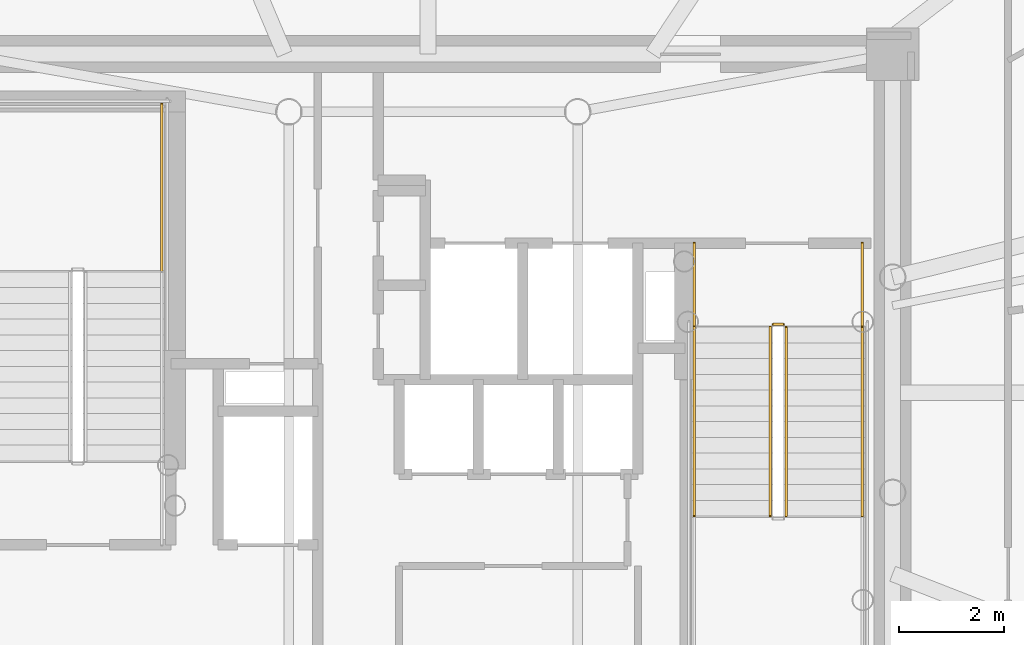
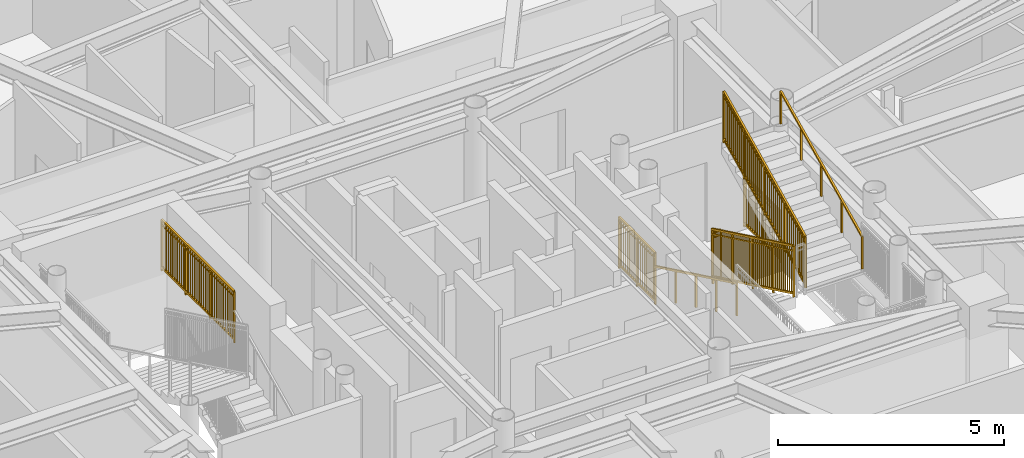
# One storey, part 16 of 17: 8 railings.
"""IFC4 building model written with IfcOpenShell, lengths in metres."""

from ifc_helpers import new_model, si_unit, direction, frame, origin, origin_2d, place, context, subcontext, project, spatial, rectangle, extrude, source, transform, mapped, material, type_object, element, save


model = new_model("IFC4")

# Units and contexts
model_context = context("Model", 3, precision=1e-05, world=origin(), true_north=direction((0.0, 1.0)))
body_context = subcontext(model_context, "Body", "Model", "MODEL_VIEW")
ifc_project = project(units=[si_unit("LENGTHUNIT", "METRE"), si_unit("AREAUNIT", "SQUARE_METRE"), si_unit("VOLUMEUNIT", "CUBIC_METRE"), si_unit("PLANEANGLEUNIT", "RADIAN"), si_unit("MASSUNIT", "GRAM", prefix="KILO")], contexts=[model_context])

# Site, building, storey
site_placement = place(None, origin())
site = spatial("IfcSite", under=ifc_project, at=site_placement, CompositionType="ELEMENT")
building_placement = place(site_placement, origin())
building = spatial("IfcBuilding", under=site, at=building_placement, Name="Linh Dai School and Residence Tower", CompositionType="ELEMENT")
storey_placement = place(building_placement, frame((0.0, 0.0, 276.75)))
storey = spatial("IfcBuildingStorey", under=building, at=storey_placement, Name="L68", CompositionType="ELEMENT", Elevation=276.75)

# Railings
ifc_material_1 = material(Name="Structural Steel S355JR", Category="steel")
railing_type_1 = type_object("IfcRailingType", Name="RL-ST-GUARD-1400", PredefinedType="GUARDRAIL", material=ifc_material_1)
shared_shape_1 = source(origin(), body_context, "Body", "SweptSolid", [
    extrude(rectangle(XDim=0.048095703125, YDim=0.048095703125, at=origin_2d()), frame((0.0, 0.0, 1.3759765625), z_axis=(0.0, 0.901262522062, 0.433273431364), x_axis=(-1.0, 0.0, 0.0)), (0.0, 0.0, 1.0), 3.994384765625),
    extrude(rectangle(XDim=0.048095703125, YDim=0.048095703125, at=origin_2d()), frame((0.0, 0.0, 0.10009765625), z_axis=(0.0, 0.901262522062, 0.433273431364), x_axis=(-1.0, 0.0, 0.0)), (0.0, 0.0, 1.0), 3.994384765625),
    extrude(rectangle(XDim=0.030029296875, YDim=0.030029296875, at=origin_2d()), frame((0.0, 0.0, 1.239990234375), z_axis=(0.0, 0.901262522062, 0.433273431364), x_axis=(-1.0, 0.0, 0.0)), (0.0, 0.0, 1.0), 3.994384765625),
    extrude(rectangle(XDim=0.02001953125, YDim=0.02001953125, at=origin_2d()), frame((0.0, 0.087890625, 0.142333984375)), (0.0, 0.0, 1.0), 1.251708984375),
    extrude(rectangle(XDim=0.02001953125, YDim=0.02001953125, at=origin_2d()), frame((0.0, 0.175537109375, 0.1845703125)), (0.0, 0.0, 1.0), 1.251708984375),
    extrude(rectangle(XDim=0.02001953125, YDim=0.02001953125, at=origin_2d()), frame((0.0, 0.263427734375, 0.226806640625)), (0.0, 0.0, 1.0), 1.251708984375),
    extrude(rectangle(XDim=0.02001953125, YDim=0.02001953125, at=origin_2d()), frame((0.0, 0.351318359375, 0.26904296875)), (0.0, 0.0, 1.0), 1.251708984375),
    extrude(rectangle(XDim=0.02001953125, YDim=0.02001953125, at=origin_2d()), frame((0.0, 0.43896484375, 0.311279296875)), (0.0, 0.0, 1.0), 1.251708984375),
    extrude(rectangle(XDim=0.02001953125, YDim=0.02001953125, at=origin_2d()), frame((0.0, 0.52685546875, 0.353271484375)), (0.0, 0.0, 1.0), 1.251708984375),
    extrude(rectangle(XDim=0.02001953125, YDim=0.02001953125, at=origin_2d()), frame((0.0, 0.61474609375, 0.3955078125)), (0.0, 0.0, 1.0), 1.251708984375),
    extrude(rectangle(XDim=0.02001953125, YDim=0.02001953125, at=origin_2d()), frame((0.0, 0.702392578125, 0.437744140625)), (0.0, 0.0, 1.0), 1.251708984375),
    extrude(rectangle(XDim=0.02001953125, YDim=0.02001953125, at=origin_2d()), frame((0.0, 0.790283203125, 0.47998046875)), (0.0, 0.0, 1.0), 1.251708984375),
    extrude(rectangle(XDim=0.02001953125, YDim=0.02001953125, at=origin_2d()), frame((0.0, 0.9658203125, 0.564453125)), (0.0, 0.0, 1.0), 1.251708984375),
    extrude(rectangle(XDim=0.02001953125, YDim=0.02001953125, at=origin_2d()), frame((0.0, 1.0537109375, 0.606689453125)), (0.0, 0.0, 1.0), 1.251708984375),
    extrude(rectangle(XDim=0.02001953125, YDim=0.02001953125, at=origin_2d()), frame((0.0, 1.1416015625, 0.64892578125)), (0.0, 0.0, 1.0), 1.251708984375),
    extrude(rectangle(XDim=0.02001953125, YDim=0.02001953125, at=origin_2d()), frame((0.0, 1.229248046875, 0.691162109375)), (0.0, 0.0, 1.0), 1.251708984375),
    extrude(rectangle(XDim=0.02001953125, YDim=0.02001953125, at=origin_2d()), frame((0.0, 1.317138671875, 0.7333984375)), (0.0, 0.0, 1.0), 1.251708984375),
    extrude(rectangle(XDim=0.02001953125, YDim=0.02001953125, at=origin_2d()), frame((0.0, 1.405029296875, 0.775390625)), (0.0, 0.0, 1.0), 1.251708984375),
    extrude(rectangle(XDim=0.02001953125, YDim=0.02001953125, at=origin_2d()), frame((0.0, 1.49267578125, 0.817626953125)), (0.0, 0.0, 1.0), 1.251708984375),
    extrude(rectangle(XDim=0.02001953125, YDim=0.02001953125, at=origin_2d()), frame((0.0, 1.58056640625, 0.85986328125)), (0.0, 0.0, 1.0), 1.251708984375),
    extrude(rectangle(XDim=0.02001953125, YDim=0.02001953125, at=origin_2d()), frame((0.0, 1.66845703125, 0.902099609375)), (0.0, 0.0, 1.0), 1.251708984375),
    extrude(rectangle(XDim=0.02001953125, YDim=0.02001953125, at=origin_2d()), frame((0.0, 1.756103515625, 0.9443359375)), (0.0, 0.0, 1.0), 1.251708984375),
    extrude(rectangle(XDim=0.02001953125, YDim=0.02001953125, at=origin_2d()), frame((0.0, 1.843994140625, 0.986572265625)), (0.0, 0.0, 1.0), 1.251708984375),
    extrude(rectangle(XDim=0.02001953125, YDim=0.02001953125, at=origin_2d()), frame((0.0, 1.931640625, 1.02880859375)), (0.0, 0.0, 1.0), 1.251708984375),
    extrude(rectangle(XDim=0.02001953125, YDim=0.02001953125, at=origin_2d()), frame((0.0, 2.01953125, 1.071044921875)), (0.0, 0.0, 1.0), 1.251708984375),
    extrude(rectangle(XDim=0.02001953125, YDim=0.02001953125, at=origin_2d()), frame((0.0, 2.107421875, 1.11328125)), (0.0, 0.0, 1.0), 1.251708984375),
    extrude(rectangle(XDim=0.02001953125, YDim=0.02001953125, at=origin_2d()), frame((0.0, 2.195068359375, 1.155517578125)), (0.0, 0.0, 1.0), 1.251708984375),
    extrude(rectangle(XDim=0.02001953125, YDim=0.02001953125, at=origin_2d()), frame((0.0, 2.282958984375, 1.197509765625)), (0.0, 0.0, 1.0), 1.251708984375),
    extrude(rectangle(XDim=0.02001953125, YDim=0.02001953125, at=origin_2d()), frame((0.0, 2.370849609375, 1.23974609375)), (0.0, 0.0, 1.0), 1.251708984375),
    extrude(rectangle(XDim=0.02001953125, YDim=0.02001953125, at=origin_2d()), frame((0.0, 2.45849609375, 1.281982421875)), (0.0, 0.0, 1.0), 1.251708984375),
    extrude(rectangle(XDim=0.02001953125, YDim=0.02001953125, at=origin_2d()), frame((0.0, 2.54638671875, 1.32421875)), (0.0, 0.0, 1.0), 1.251708984375),
    extrude(rectangle(XDim=0.02001953125, YDim=0.02001953125, at=origin_2d()), frame((0.0, 2.63427734375, 1.366455078125)), (0.0, 0.0, 1.0), 1.251708984375),
    extrude(rectangle(XDim=0.02001953125, YDim=0.02001953125, at=origin_2d()), frame((0.0, 2.809814453125, 1.450927734375)), (0.0, 0.0, 1.0), 1.251708984375),
    extrude(rectangle(XDim=0.02001953125, YDim=0.02001953125, at=origin_2d()), frame((0.0, 2.897705078125, 1.4931640625)), (0.0, 0.0, 1.0), 1.251708984375),
    extrude(rectangle(XDim=0.02001953125, YDim=0.02001953125, at=origin_2d()), frame((0.0, 2.9853515625, 1.535400390625)), (0.0, 0.0, 1.0), 1.251708984375),
    extrude(rectangle(XDim=0.02001953125, YDim=0.02001953125, at=origin_2d()), frame((0.0, 3.0732421875, 1.57763671875)), (0.0, 0.0, 1.0), 1.251708984375),
    extrude(rectangle(XDim=0.02001953125, YDim=0.02001953125, at=origin_2d()), frame((0.0, 3.1611328125, 1.61962890625)), (0.0, 0.0, 1.0), 1.251708984375),
    extrude(rectangle(XDim=0.02001953125, YDim=0.02001953125, at=origin_2d()), frame((0.0, 3.248779296875, 1.661865234375)), (0.0, 0.0, 1.0), 1.251708984375),
    extrude(rectangle(XDim=0.02001953125, YDim=0.02001953125, at=origin_2d()), frame((0.0, 3.336669921875, 1.7041015625)), (0.0, 0.0, 1.0), 1.251708984375),
    extrude(rectangle(XDim=0.02001953125, YDim=0.02001953125, at=origin_2d()), frame((0.0, 3.424560546875, 1.746337890625)), (0.0, 0.0, 1.0), 1.251708984375),
    extrude(rectangle(XDim=0.02001953125, YDim=0.02001953125, at=origin_2d()), frame((0.0, 3.51220703125, 1.78857421875)), (0.0, 0.0, 1.0), 1.251708984375),
    extrude(rectangle(XDim=0.0419921875, YDim=0.0419921875, at=origin_2d()), origin(), (0.0, 0.0, 1.0), 1.3759765625),
    extrude(rectangle(XDim=0.0419921875, YDim=0.0419921875, at=origin_2d()), frame((0.0, 0.89990234375, 0.4326171875)), (0.0, 0.0, 1.0), 1.3759765625),
    extrude(rectangle(XDim=0.0419921875, YDim=0.0419921875, at=origin_2d()), frame((0.0, 1.800048828125, 0.865234375)), (0.0, 0.0, 1.0), 1.3759765625),
    extrude(rectangle(XDim=0.0419921875, YDim=0.0419921875, at=origin_2d()), frame((0.0, 2.7001953125, 1.298095703125)), (0.0, 0.0, 1.0), 1.3759765625),
    extrude(rectangle(XDim=0.0419921875, YDim=0.0419921875, at=origin_2d()), frame((0.0, 3.60009765625, 1.730712890625)), (0.0, 0.0, 1.0), 1.3759765625),
])
railing_1_placement = place(storey_placement, frame((42.820068359375, 24.64990234375, 2.019287109375)))
element("IfcRailing", 1, at=railing_1_placement, inside=storey, type_object=railing_type_1, Name="L68 ST2 stair guard 6", PredefinedType="GUARDRAIL", context=body_context, shape_type="MappedRepresentation", body=[
    mapped(shared_shape_1, transform((0.0, 0.0, 0.0), x_axis=(1.0, 0.0, 0.0), y_axis=(0.0, 1.0, 0.0), z_axis=(0.0, 0.0, 1.0), scale=1.0)),
])
shared_shape_2 = source(origin(), body_context, "Body", "SweptSolid", [
    extrude(rectangle(XDim=0.048095703125, YDim=0.048095703125, at=origin_2d()), frame((0.0, 0.0, 1.3759765625), z_axis=(0.0, 1.0, 0.0), x_axis=(-1.0, 0.0, 0.0)), (0.0, 0.0, 1.0), 3.199951171875),
    extrude(rectangle(XDim=0.048095703125, YDim=0.048095703125, at=origin_2d()), frame((0.0, 0.0, 0.10009765625), z_axis=(0.0, 1.0, 0.0), x_axis=(-1.0, 0.0, 0.0)), (0.0, 0.0, 1.0), 3.199951171875),
    extrude(rectangle(XDim=0.030029296875, YDim=0.030029296875, at=origin_2d()), frame((0.0, 0.0, 1.239990234375), z_axis=(0.0, 1.0, 0.0), x_axis=(-1.0, 0.0, 0.0)), (0.0, 0.0, 1.0), 3.199951171875),
    extrude(rectangle(XDim=0.02001953125, YDim=0.02001953125, at=origin_2d()), frame((0.0, 0.096923828125, 0.10009765625)), (0.0, 0.0, 1.0), 1.251708984375),
    extrude(rectangle(XDim=0.02001953125, YDim=0.02001953125, at=origin_2d()), frame((0.0, 0.19384765625, 0.10009765625)), (0.0, 0.0, 1.0), 1.251708984375),
    extrude(rectangle(XDim=0.02001953125, YDim=0.02001953125, at=origin_2d()), frame((0.0, 0.291015625, 0.10009765625)), (0.0, 0.0, 1.0), 1.251708984375),
    extrude(rectangle(XDim=0.02001953125, YDim=0.02001953125, at=origin_2d()), frame((0.0, 0.387939453125, 0.10009765625)), (0.0, 0.0, 1.0), 1.251708984375),
    extrude(rectangle(XDim=0.02001953125, YDim=0.02001953125, at=origin_2d()), frame((0.0, 0.48486328125, 0.10009765625)), (0.0, 0.0, 1.0), 1.251708984375),
    extrude(rectangle(XDim=0.02001953125, YDim=0.02001953125, at=origin_2d()), frame((0.0, 0.581787109375, 0.10009765625)), (0.0, 0.0, 1.0), 1.251708984375),
    extrude(rectangle(XDim=0.02001953125, YDim=0.02001953125, at=origin_2d()), frame((0.0, 0.6787109375, 0.10009765625)), (0.0, 0.0, 1.0), 1.251708984375),
    extrude(rectangle(XDim=0.02001953125, YDim=0.02001953125, at=origin_2d()), frame((0.0, 0.775634765625, 0.10009765625)), (0.0, 0.0, 1.0), 1.251708984375),
    extrude(rectangle(XDim=0.02001953125, YDim=0.02001953125, at=origin_2d()), frame((0.0, 0.872802734375, 0.10009765625)), (0.0, 0.0, 1.0), 1.251708984375),
    extrude(rectangle(XDim=0.02001953125, YDim=0.02001953125, at=origin_2d()), frame((0.0, 0.9697265625, 0.10009765625)), (0.0, 0.0, 1.0), 1.251708984375),
    extrude(rectangle(XDim=0.02001953125, YDim=0.02001953125, at=origin_2d()), frame((0.0, 1.16357421875, 0.10009765625)), (0.0, 0.0, 1.0), 1.251708984375),
    extrude(rectangle(XDim=0.02001953125, YDim=0.02001953125, at=origin_2d()), frame((0.0, 1.260498046875, 0.10009765625)), (0.0, 0.0, 1.0), 1.251708984375),
    extrude(rectangle(XDim=0.02001953125, YDim=0.02001953125, at=origin_2d()), frame((0.0, 1.357666015625, 0.10009765625)), (0.0, 0.0, 1.0), 1.251708984375),
    extrude(rectangle(XDim=0.02001953125, YDim=0.02001953125, at=origin_2d()), frame((0.0, 1.45458984375, 0.10009765625)), (0.0, 0.0, 1.0), 1.251708984375),
    extrude(rectangle(XDim=0.02001953125, YDim=0.02001953125, at=origin_2d()), frame((0.0, 1.551513671875, 0.10009765625)), (0.0, 0.0, 1.0), 1.251708984375),
    extrude(rectangle(XDim=0.02001953125, YDim=0.02001953125, at=origin_2d()), frame((0.0, 1.6484375, 0.10009765625)), (0.0, 0.0, 1.0), 1.251708984375),
    extrude(rectangle(XDim=0.02001953125, YDim=0.02001953125, at=origin_2d()), frame((0.0, 1.745361328125, 0.10009765625)), (0.0, 0.0, 1.0), 1.251708984375),
    extrude(rectangle(XDim=0.02001953125, YDim=0.02001953125, at=origin_2d()), frame((0.0, 1.84228515625, 0.10009765625)), (0.0, 0.0, 1.0), 1.251708984375),
    extrude(rectangle(XDim=0.02001953125, YDim=0.02001953125, at=origin_2d()), frame((0.0, 1.939453125, 0.10009765625)), (0.0, 0.0, 1.0), 1.251708984375),
    extrude(rectangle(XDim=0.02001953125, YDim=0.02001953125, at=origin_2d()), frame((0.0, 2.036376953125, 0.10009765625)), (0.0, 0.0, 1.0), 1.251708984375),
    extrude(rectangle(XDim=0.02001953125, YDim=0.02001953125, at=origin_2d()), frame((0.0, 2.230224609375, 0.10009765625)), (0.0, 0.0, 1.0), 1.251708984375),
    extrude(rectangle(XDim=0.02001953125, YDim=0.02001953125, at=origin_2d()), frame((0.0, 2.3271484375, 0.10009765625)), (0.0, 0.0, 1.0), 1.251708984375),
    extrude(rectangle(XDim=0.02001953125, YDim=0.02001953125, at=origin_2d()), frame((0.0, 2.42431640625, 0.10009765625)), (0.0, 0.0, 1.0), 1.251708984375),
    extrude(rectangle(XDim=0.02001953125, YDim=0.02001953125, at=origin_2d()), frame((0.0, 2.521240234375, 0.10009765625)), (0.0, 0.0, 1.0), 1.251708984375),
    extrude(rectangle(XDim=0.02001953125, YDim=0.02001953125, at=origin_2d()), frame((0.0, 2.6181640625, 0.10009765625)), (0.0, 0.0, 1.0), 1.251708984375),
    extrude(rectangle(XDim=0.02001953125, YDim=0.02001953125, at=origin_2d()), frame((0.0, 2.715087890625, 0.10009765625)), (0.0, 0.0, 1.0), 1.251708984375),
    extrude(rectangle(XDim=0.02001953125, YDim=0.02001953125, at=origin_2d()), frame((0.0, 2.81201171875, 0.10009765625)), (0.0, 0.0, 1.0), 1.251708984375),
    extrude(rectangle(XDim=0.02001953125, YDim=0.02001953125, at=origin_2d()), frame((0.0, 2.908935546875, 0.10009765625)), (0.0, 0.0, 1.0), 1.251708984375),
    extrude(rectangle(XDim=0.02001953125, YDim=0.02001953125, at=origin_2d()), frame((0.0, 3.006103515625, 0.10009765625)), (0.0, 0.0, 1.0), 1.251708984375),
    extrude(rectangle(XDim=0.02001953125, YDim=0.02001953125, at=origin_2d()), frame((0.0, 3.10302734375, 0.10009765625)), (0.0, 0.0, 1.0), 1.251708984375),
    extrude(rectangle(XDim=0.0419921875, YDim=0.0419921875, at=origin_2d()), origin(), (0.0, 0.0, 1.0), 1.3759765625),
    extrude(rectangle(XDim=0.0419921875, YDim=0.0419921875, at=origin_2d()), frame((0.0, 1.066650390625, 0.0)), (0.0, 0.0, 1.0), 1.3759765625),
    extrude(rectangle(XDim=0.0419921875, YDim=0.0419921875, at=origin_2d()), frame((0.0, 2.13330078125, 0.0)), (0.0, 0.0, 1.0), 1.3759765625),
    extrude(rectangle(XDim=0.0419921875, YDim=0.0419921875, at=origin_2d()), frame((0.0, 3.199951171875, 0.0)), (0.0, 0.0, 1.0), 1.3759765625),
])
railing_2_placement = place(storey_placement, frame((30.929931640625, 29.300048828125, 1.875)))
element("IfcRailing", 2, at=railing_2_placement, inside=storey, type_object=railing_type_1, Name="L68 ST1 stair guard 3", PredefinedType="GUARDRAIL", context=body_context, shape_type="MappedRepresentation", body=[
    mapped(shared_shape_2, transform((0.0, 0.0, 0.0), x_axis=(1.0, 0.0, 0.0), y_axis=(0.0, 1.0, 0.0), z_axis=(0.0, 0.0, 1.0), scale=1.0)),
])
shared_shape_3 = source(origin(), body_context, "Body", "SweptSolid", [
    extrude(rectangle(XDim=0.048095703125, YDim=0.048095703125, at=origin_2d()), frame((0.0, 0.0, 1.3759765625), z_axis=(0.0, -0.901262522062, 0.433273431364), x_axis=(1.0, 0.0, 0.0)), (0.0, 0.0, 1.0), 3.994384765625),
    extrude(rectangle(XDim=0.048095703125, YDim=0.048095703125, at=origin_2d()), frame((0.0, 0.0, 0.10009765625), z_axis=(0.0, -0.901262522062, 0.433273431364), x_axis=(1.0, 0.0, 0.0)), (0.0, 0.0, 1.0), 3.994384765625),
    extrude(rectangle(XDim=0.030029296875, YDim=0.030029296875, at=origin_2d()), frame((0.0, 0.0, 1.239990234375), z_axis=(0.0, -0.901262522062, 0.433273431364), x_axis=(1.0, 0.0, 0.0)), (0.0, 0.0, 1.0), 3.994384765625),
    extrude(rectangle(XDim=0.02001953125, YDim=0.02001953125, at=origin_2d()), frame((0.0, -0.087890625, 0.142333984375)), (0.0, 0.0, 1.0), 1.251708984375),
    extrude(rectangle(XDim=0.02001953125, YDim=0.02001953125, at=origin_2d()), frame((0.0, -0.175537109375, 0.1845703125)), (0.0, 0.0, 1.0), 1.251708984375),
    extrude(rectangle(XDim=0.02001953125, YDim=0.02001953125, at=origin_2d()), frame((0.0, -0.263427734375, 0.226806640625)), (0.0, 0.0, 1.0), 1.251708984375),
    extrude(rectangle(XDim=0.02001953125, YDim=0.02001953125, at=origin_2d()), frame((0.0, -0.351318359375, 0.26904296875)), (0.0, 0.0, 1.0), 1.251708984375),
    extrude(rectangle(XDim=0.02001953125, YDim=0.02001953125, at=origin_2d()), frame((0.0, -0.43896484375, 0.311279296875)), (0.0, 0.0, 1.0), 1.251708984375),
    extrude(rectangle(XDim=0.02001953125, YDim=0.02001953125, at=origin_2d()), frame((0.0, -0.52685546875, 0.353271484375)), (0.0, 0.0, 1.0), 1.251708984375),
    extrude(rectangle(XDim=0.02001953125, YDim=0.02001953125, at=origin_2d()), frame((0.0, -0.61474609375, 0.3955078125)), (0.0, 0.0, 1.0), 1.251708984375),
    extrude(rectangle(XDim=0.02001953125, YDim=0.02001953125, at=origin_2d()), frame((0.0, -0.702392578125, 0.437744140625)), (0.0, 0.0, 1.0), 1.251708984375),
    extrude(rectangle(XDim=0.02001953125, YDim=0.02001953125, at=origin_2d()), frame((0.0, -0.790283203125, 0.47998046875)), (0.0, 0.0, 1.0), 1.251708984375),
    extrude(rectangle(XDim=0.02001953125, YDim=0.02001953125, at=origin_2d()), frame((0.0, -0.9658203125, 0.564453125)), (0.0, 0.0, 1.0), 1.251708984375),
    extrude(rectangle(XDim=0.02001953125, YDim=0.02001953125, at=origin_2d()), frame((0.0, -1.0537109375, 0.606689453125)), (0.0, 0.0, 1.0), 1.251708984375),
    extrude(rectangle(XDim=0.02001953125, YDim=0.02001953125, at=origin_2d()), frame((0.0, -1.1416015625, 0.64892578125)), (0.0, 0.0, 1.0), 1.251708984375),
    extrude(rectangle(XDim=0.02001953125, YDim=0.02001953125, at=origin_2d()), frame((0.0, -1.229248046875, 0.691162109375)), (0.0, 0.0, 1.0), 1.251708984375),
    extrude(rectangle(XDim=0.02001953125, YDim=0.02001953125, at=origin_2d()), frame((0.0, -1.317138671875, 0.7333984375)), (0.0, 0.0, 1.0), 1.251708984375),
    extrude(rectangle(XDim=0.02001953125, YDim=0.02001953125, at=origin_2d()), frame((0.0, -1.405029296875, 0.775390625)), (0.0, 0.0, 1.0), 1.251708984375),
    extrude(rectangle(XDim=0.02001953125, YDim=0.02001953125, at=origin_2d()), frame((0.0, -1.49267578125, 0.817626953125)), (0.0, 0.0, 1.0), 1.251708984375),
    extrude(rectangle(XDim=0.02001953125, YDim=0.02001953125, at=origin_2d()), frame((0.0, -1.58056640625, 0.85986328125)), (0.0, 0.0, 1.0), 1.251708984375),
    extrude(rectangle(XDim=0.02001953125, YDim=0.02001953125, at=origin_2d()), frame((0.0, -1.66845703125, 0.902099609375)), (0.0, 0.0, 1.0), 1.251708984375),
    extrude(rectangle(XDim=0.02001953125, YDim=0.02001953125, at=origin_2d()), frame((0.0, -1.756103515625, 0.9443359375)), (0.0, 0.0, 1.0), 1.251708984375),
    extrude(rectangle(XDim=0.02001953125, YDim=0.02001953125, at=origin_2d()), frame((0.0, -1.843994140625, 0.986572265625)), (0.0, 0.0, 1.0), 1.251708984375),
    extrude(rectangle(XDim=0.02001953125, YDim=0.02001953125, at=origin_2d()), frame((0.0, -1.931640625, 1.02880859375)), (0.0, 0.0, 1.0), 1.251708984375),
    extrude(rectangle(XDim=0.02001953125, YDim=0.02001953125, at=origin_2d()), frame((0.0, -2.01953125, 1.071044921875)), (0.0, 0.0, 1.0), 1.251708984375),
    extrude(rectangle(XDim=0.02001953125, YDim=0.02001953125, at=origin_2d()), frame((0.0, -2.107421875, 1.11328125)), (0.0, 0.0, 1.0), 1.251708984375),
    extrude(rectangle(XDim=0.02001953125, YDim=0.02001953125, at=origin_2d()), frame((0.0, -2.195068359375, 1.155517578125)), (0.0, 0.0, 1.0), 1.251708984375),
    extrude(rectangle(XDim=0.02001953125, YDim=0.02001953125, at=origin_2d()), frame((0.0, -2.282958984375, 1.197509765625)), (0.0, 0.0, 1.0), 1.251708984375),
    extrude(rectangle(XDim=0.02001953125, YDim=0.02001953125, at=origin_2d()), frame((0.0, -2.370849609375, 1.23974609375)), (0.0, 0.0, 1.0), 1.251708984375),
    extrude(rectangle(XDim=0.02001953125, YDim=0.02001953125, at=origin_2d()), frame((0.0, -2.45849609375, 1.281982421875)), (0.0, 0.0, 1.0), 1.251708984375),
    extrude(rectangle(XDim=0.02001953125, YDim=0.02001953125, at=origin_2d()), frame((0.0, -2.54638671875, 1.32421875)), (0.0, 0.0, 1.0), 1.251708984375),
    extrude(rectangle(XDim=0.02001953125, YDim=0.02001953125, at=origin_2d()), frame((0.0, -2.63427734375, 1.366455078125)), (0.0, 0.0, 1.0), 1.251708984375),
    extrude(rectangle(XDim=0.02001953125, YDim=0.02001953125, at=origin_2d()), frame((0.0, -2.809814453125, 1.450927734375)), (0.0, 0.0, 1.0), 1.251708984375),
    extrude(rectangle(XDim=0.02001953125, YDim=0.02001953125, at=origin_2d()), frame((0.0, -2.897705078125, 1.4931640625)), (0.0, 0.0, 1.0), 1.251708984375),
    extrude(rectangle(XDim=0.02001953125, YDim=0.02001953125, at=origin_2d()), frame((0.0, -2.9853515625, 1.535400390625)), (0.0, 0.0, 1.0), 1.251708984375),
    extrude(rectangle(XDim=0.02001953125, YDim=0.02001953125, at=origin_2d()), frame((0.0, -3.0732421875, 1.57763671875)), (0.0, 0.0, 1.0), 1.251708984375),
    extrude(rectangle(XDim=0.02001953125, YDim=0.02001953125, at=origin_2d()), frame((0.0, -3.1611328125, 1.61962890625)), (0.0, 0.0, 1.0), 1.251708984375),
    extrude(rectangle(XDim=0.02001953125, YDim=0.02001953125, at=origin_2d()), frame((0.0, -3.248779296875, 1.661865234375)), (0.0, 0.0, 1.0), 1.251708984375),
    extrude(rectangle(XDim=0.02001953125, YDim=0.02001953125, at=origin_2d()), frame((0.0, -3.336669921875, 1.7041015625)), (0.0, 0.0, 1.0), 1.251708984375),
    extrude(rectangle(XDim=0.02001953125, YDim=0.02001953125, at=origin_2d()), frame((0.0, -3.424560546875, 1.746337890625)), (0.0, 0.0, 1.0), 1.251708984375),
    extrude(rectangle(XDim=0.02001953125, YDim=0.02001953125, at=origin_2d()), frame((0.0, -3.51220703125, 1.78857421875)), (0.0, 0.0, 1.0), 1.251708984375),
    extrude(rectangle(XDim=0.0419921875, YDim=0.0419921875, at=origin_2d()), origin(), (0.0, 0.0, 1.0), 1.3759765625),
    extrude(rectangle(XDim=0.0419921875, YDim=0.0419921875, at=origin_2d()), frame((0.0, -0.89990234375, 0.4326171875)), (0.0, 0.0, 1.0), 1.3759765625),
    extrude(rectangle(XDim=0.0419921875, YDim=0.0419921875, at=origin_2d()), frame((0.0, -1.800048828125, 0.865234375)), (0.0, 0.0, 1.0), 1.3759765625),
    extrude(rectangle(XDim=0.0419921875, YDim=0.0419921875, at=origin_2d()), frame((0.0, -2.7001953125, 1.298095703125)), (0.0, 0.0, 1.0), 1.3759765625),
    extrude(rectangle(XDim=0.0419921875, YDim=0.0419921875, at=origin_2d()), frame((0.0, -3.60009765625, 1.730712890625)), (0.0, 0.0, 1.0), 1.3759765625),
])
railing_3_placement = place(storey_placement, frame((42.52001953125, 28.25, 0.144287109375)))
element("IfcRailing", 3, at=railing_3_placement, inside=storey, type_object=railing_type_1, Name="L68 ST2 stair guard 1", PredefinedType="GUARDRAIL", context=body_context, shape_type="MappedRepresentation", body=[
    mapped(shared_shape_3, transform((0.0, 0.0, 0.0), x_axis=(1.0, 0.0, 0.0), y_axis=(0.0, 1.0, 0.0), z_axis=(0.0, 0.0, 1.0), scale=1.0)),
])
ifc_material_2 = material(Name="Brushed Stainless Steel Handrail", Category="steel")
railing_type_2 = type_object("IfcRailingType", Name="RL-ST-HANDRAIL-900", PredefinedType="HANDRAIL", material=ifc_material_2)
shared_shape_4 = source(origin(), body_context, "Body", "SweptSolid", [
    extrude(rectangle(XDim=0.048095703125, YDim=0.048095703125, at=origin_2d()), frame((0.0, 0.0, 0.8759765625), z_axis=(0.0, 0.901262522062, 0.433273431364), x_axis=(-1.0, 0.0, 0.0)), (0.0, 0.0, 1.0), 3.994384765625),
    extrude(rectangle(XDim=0.0419921875, YDim=0.0419921875, at=origin_2d()), origin(), (0.0, 0.0, 1.0), 0.8759765625),
    extrude(rectangle(XDim=0.0419921875, YDim=0.0419921875, at=origin_2d()), frame((0.0, 0.89990234375, 0.4326171875)), (0.0, 0.0, 1.0), 0.8759765625),
    extrude(rectangle(XDim=0.0419921875, YDim=0.0419921875, at=origin_2d()), frame((0.0, 1.800048828125, 0.865234375)), (0.0, 0.0, 1.0), 0.8759765625),
    extrude(rectangle(XDim=0.0419921875, YDim=0.0419921875, at=origin_2d()), frame((0.0, 2.7001953125, 1.298095703125)), (0.0, 0.0, 1.0), 0.8759765625),
    extrude(rectangle(XDim=0.0419921875, YDim=0.0419921875, at=origin_2d()), frame((0.0, 3.60009765625, 1.730712890625)), (0.0, 0.0, 1.0), 0.8759765625),
])
railing_4_placement = place(storey_placement, frame((44.27001953125, 24.64990234375, 2.019287109375)))
element("IfcRailing", 4, at=railing_4_placement, inside=storey, type_object=railing_type_2, Name="L68 ST2 stair handrail 2", PredefinedType="HANDRAIL", context=body_context, shape_type="MappedRepresentation", body=[
    mapped(shared_shape_4, transform((0.0, 0.0, 0.0), x_axis=(1.0, 0.0, 0.0), y_axis=(0.0, 1.0, 0.0), z_axis=(0.0, 0.0, 1.0), scale=1.0)),
])
shared_shape_5 = source(origin(), body_context, "Body", "SweptSolid", [
    extrude(rectangle(XDim=0.048095703125, YDim=0.048095703125, at=origin_2d()), frame((0.0, 0.0, 0.8759765625), z_axis=(0.0, -0.901262522062, 0.433273431364), x_axis=(1.0, 0.0, 0.0)), (0.0, 0.0, 1.0), 3.994384765625),
    extrude(rectangle(XDim=0.0419921875, YDim=0.0419921875, at=origin_2d()), origin(), (0.0, 0.0, 1.0), 0.8759765625),
    extrude(rectangle(XDim=0.0419921875, YDim=0.0419921875, at=origin_2d()), frame((0.0, -0.89990234375, 0.4326171875)), (0.0, 0.0, 1.0), 0.8759765625),
    extrude(rectangle(XDim=0.0419921875, YDim=0.0419921875, at=origin_2d()), frame((0.0, -1.800048828125, 0.865234375)), (0.0, 0.0, 1.0), 0.8759765625),
    extrude(rectangle(XDim=0.0419921875, YDim=0.0419921875, at=origin_2d()), frame((0.0, -2.7001953125, 1.298095703125)), (0.0, 0.0, 1.0), 0.8759765625),
    extrude(rectangle(XDim=0.0419921875, YDim=0.0419921875, at=origin_2d()), frame((0.0, -3.60009765625, 1.730712890625)), (0.0, 0.0, 1.0), 0.8759765625),
])
railing_5_placement = place(storey_placement, frame((41.070068359375, 28.25, 0.144287109375)))
element("IfcRailing", 5, at=railing_5_placement, inside=storey, type_object=railing_type_2, Name="L68 ST2 stair handrail 1", PredefinedType="HANDRAIL", context=body_context, shape_type="MappedRepresentation", body=[
    mapped(shared_shape_5, transform((0.0, 0.0, 0.0), x_axis=(1.0, 0.0, 0.0), y_axis=(0.0, 1.0, 0.0), z_axis=(0.0, 0.0, 1.0), scale=1.0)),
])
shared_shape_6 = source(origin(), body_context, "Body", "SweptSolid", [
    extrude(rectangle(XDim=0.048095703125, YDim=0.048095703125, at=origin_2d()), frame((0.0, 0.0, 1.3759765625), z_axis=(1.0, 0.0, 0.0), x_axis=(0.0, 1.0, 0.0)), (0.0, 0.0, 1.0), 0.199951171875),
    extrude(rectangle(XDim=0.048095703125, YDim=0.048095703125, at=origin_2d()), frame((0.0, 0.0, 0.10009765625), z_axis=(1.0, 0.0, 0.0), x_axis=(0.0, 1.0, 0.0)), (0.0, 0.0, 1.0), 0.199951171875),
    extrude(rectangle(XDim=0.030029296875, YDim=0.030029296875, at=origin_2d()), frame((0.0, 0.0, 1.239990234375), z_axis=(1.0, 0.0, 0.0), x_axis=(0.0, 1.0, 0.0)), (0.0, 0.0, 1.0), 0.199951171875),
    extrude(rectangle(XDim=0.0419921875, YDim=0.0419921875, at=origin_2d()), origin(), (0.0, 0.0, 1.0), 1.3759765625),
    extrude(rectangle(XDim=0.0419921875, YDim=0.0419921875, at=origin_2d()), frame((0.199951171875, 0.0, 0.0)), (0.0, 0.0, 1.0), 1.3759765625),
])
railing_6_placement = place(storey_placement, frame((42.570068359375, 28.300048828125, 0.0)))
element("IfcRailing", 6, at=railing_6_placement, inside=storey, type_object=railing_type_1, Name="L68 ST2 stair guard 7", PredefinedType="GUARDRAIL", context=body_context, shape_type="MappedRepresentation", body=[
    mapped(shared_shape_6, transform((0.0, 0.0, 0.0), x_axis=(1.0, 0.0, 0.0), y_axis=(0.0, 1.0, 0.0), z_axis=(0.0, 0.0, 1.0), scale=1.0)),
])
shared_shape_7 = source(origin(), body_context, "Body", "SweptSolid", [
    extrude(rectangle(XDim=0.048095703125, YDim=0.048095703125, at=origin_2d()), frame((0.0, 0.0, 1.3759765625), z_axis=(0.0, -1.0, 0.0), x_axis=(1.0, 0.0, 0.0)), (0.0, 0.0, 1.0), 1.60009765625),
    extrude(rectangle(XDim=0.048095703125, YDim=0.048095703125, at=origin_2d()), frame((0.0, 0.0, 0.10009765625), z_axis=(0.0, -1.0, 0.0), x_axis=(1.0, 0.0, 0.0)), (0.0, 0.0, 1.0), 1.60009765625),
    extrude(rectangle(XDim=0.030029296875, YDim=0.030029296875, at=origin_2d()), frame((0.0, 0.0, 1.239990234375), z_axis=(0.0, -1.0, 0.0), x_axis=(1.0, 0.0, 0.0)), (0.0, 0.0, 1.0), 1.60009765625),
    extrude(rectangle(XDim=0.02001953125, YDim=0.02001953125, at=origin_2d()), frame((0.0, -0.09423828125, 0.10009765625)), (0.0, 0.0, 1.0), 1.251708984375),
    extrude(rectangle(XDim=0.02001953125, YDim=0.02001953125, at=origin_2d()), frame((0.0, -0.188232421875, 0.10009765625)), (0.0, 0.0, 1.0), 1.251708984375),
    extrude(rectangle(XDim=0.02001953125, YDim=0.02001953125, at=origin_2d()), frame((0.0, -0.282470703125, 0.10009765625)), (0.0, 0.0, 1.0), 1.251708984375),
    extrude(rectangle(XDim=0.02001953125, YDim=0.02001953125, at=origin_2d()), frame((0.0, -0.37646484375, 0.10009765625)), (0.0, 0.0, 1.0), 1.251708984375),
    extrude(rectangle(XDim=0.02001953125, YDim=0.02001953125, at=origin_2d()), frame((0.0, -0.470703125, 0.10009765625)), (0.0, 0.0, 1.0), 1.251708984375),
    extrude(rectangle(XDim=0.02001953125, YDim=0.02001953125, at=origin_2d()), frame((0.0, -0.564697265625, 0.10009765625)), (0.0, 0.0, 1.0), 1.251708984375),
    extrude(rectangle(XDim=0.02001953125, YDim=0.02001953125, at=origin_2d()), frame((0.0, -0.658935546875, 0.10009765625)), (0.0, 0.0, 1.0), 1.251708984375),
    extrude(rectangle(XDim=0.02001953125, YDim=0.02001953125, at=origin_2d()), frame((0.0, -0.7529296875, 0.10009765625)), (0.0, 0.0, 1.0), 1.251708984375),
    extrude(rectangle(XDim=0.02001953125, YDim=0.02001953125, at=origin_2d()), frame((0.0, -0.84716796875, 0.10009765625)), (0.0, 0.0, 1.0), 1.251708984375),
    extrude(rectangle(XDim=0.02001953125, YDim=0.02001953125, at=origin_2d()), frame((0.0, -0.941162109375, 0.10009765625)), (0.0, 0.0, 1.0), 1.251708984375),
    extrude(rectangle(XDim=0.02001953125, YDim=0.02001953125, at=origin_2d()), frame((0.0, -1.035400390625, 0.10009765625)), (0.0, 0.0, 1.0), 1.251708984375),
    extrude(rectangle(XDim=0.02001953125, YDim=0.02001953125, at=origin_2d()), frame((0.0, -1.12939453125, 0.10009765625)), (0.0, 0.0, 1.0), 1.251708984375),
    extrude(rectangle(XDim=0.02001953125, YDim=0.02001953125, at=origin_2d()), frame((0.0, -1.2236328125, 0.10009765625)), (0.0, 0.0, 1.0), 1.251708984375),
    extrude(rectangle(XDim=0.02001953125, YDim=0.02001953125, at=origin_2d()), frame((0.0, -1.317626953125, 0.10009765625)), (0.0, 0.0, 1.0), 1.251708984375),
    extrude(rectangle(XDim=0.02001953125, YDim=0.02001953125, at=origin_2d()), frame((0.0, -1.411865234375, 0.10009765625)), (0.0, 0.0, 1.0), 1.251708984375),
    extrude(rectangle(XDim=0.02001953125, YDim=0.02001953125, at=origin_2d()), frame((0.0, -1.505859375, 0.10009765625)), (0.0, 0.0, 1.0), 1.251708984375),
    extrude(rectangle(XDim=0.0419921875, YDim=0.0419921875, at=origin_2d()), origin(), (0.0, 0.0, 1.0), 1.3759765625),
    extrude(rectangle(XDim=0.0419921875, YDim=0.0419921875, at=origin_2d()), frame((0.0, -0.800048828125, 0.0)), (0.0, 0.0, 1.0), 1.3759765625),
    extrude(rectangle(XDim=0.0419921875, YDim=0.0419921875, at=origin_2d()), frame((0.0, -1.60009765625, 0.0)), (0.0, 0.0, 1.0), 1.3759765625),
])
for number, where, name in (
    (7, (41.070068359375, 29.85009765625, 0.0), "L68 ST2 stair guard 8"),
    (8, (44.27001953125, 29.85009765625, 0.0), "L68 ST2 stair guard 9"),
):
    element("IfcRailing", number, at=place(storey_placement, frame(where)), inside=storey, type_object=railing_type_1, Name=name, PredefinedType="GUARDRAIL", context=body_context, shape_type="MappedRepresentation", body=[
        mapped(shared_shape_7, transform((0.0, 0.0, 0.0), x_axis=(1.0, 0.0, 0.0), y_axis=(0.0, 1.0, 0.0), z_axis=(0.0, 0.0, 1.0), scale=1.0)),
    ])

save(model, "model.ifc")
